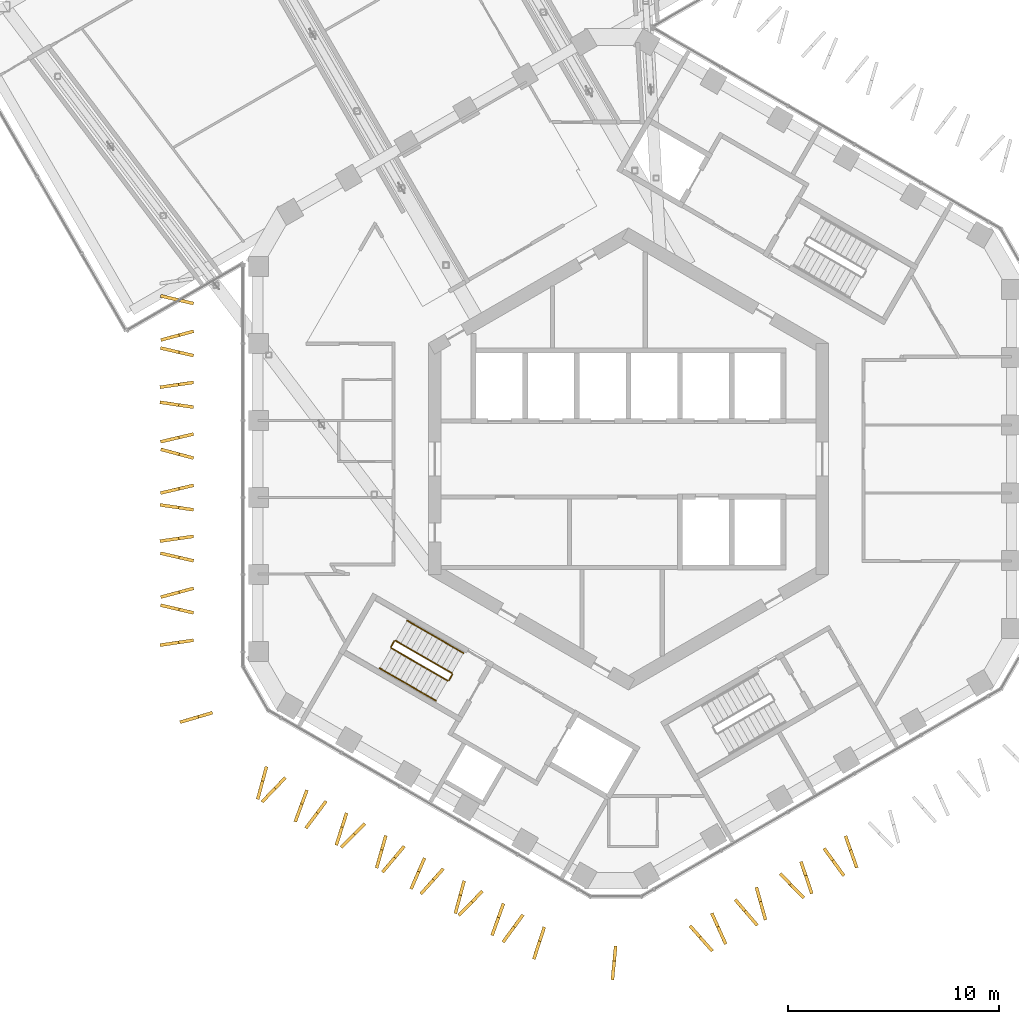
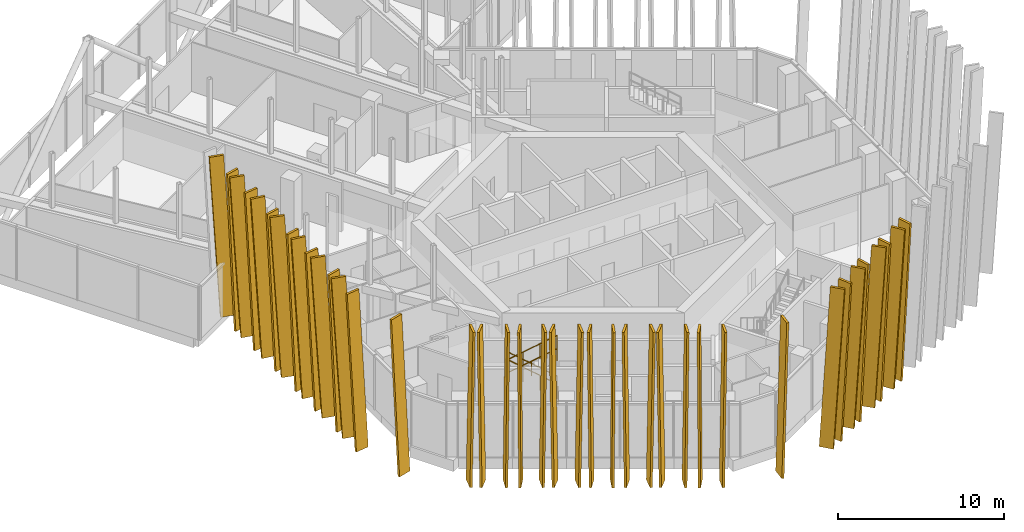
# One storey, part 26 of 29: 39 shading devices, 8 railings.
"""IFC4 building model written with IfcOpenShell, lengths in metres."""

import ifcopenshell
import ifcopenshell.guid

model = None  # the IFC model being written
_history = None  # IfcOwnerHistory: only IFC2X3 demands one
_inside = {}  # id of a spatial element -> (the spatial element, [elements in it])
_under = {}  # id of a project, library or spatial element -> (it, [spatial elements below it])
_declared = {}  # id of a project -> (the project, [libraries it declares])
_typed = {}  # id of a type object -> (the type object, [elements of that type])
_made_of = {}  # id of a material, layer set ... -> (it, [elements and type objects made of it])


def new_model(schema):
    """Start an empty IFC model of exactly this schema.

    Asked for "IFC4X3", IfcOpenShell would pick the latest addendum, in which some entities
    have other attributes; the version numbers below select the first issue.
    IFC2X3 requires an IfcOwnerHistory on every rooted entity: one is made here for all.
    """
    global model, _history
    if schema == "IFC4X3":
        model = ifcopenshell.file(schema_version=(4, 3, 0, 0))
    else:
        model = ifcopenshell.file(schema=schema)
    _inside.clear()
    _under.clear()
    _declared.clear()
    _typed.clear()
    _made_of.clear()
    _history = None
    if model.schema == "IFC2X3":
        org = make("IfcOrganization", Name="unknown")
        user = make(
            "IfcPersonAndOrganization",
            ThePerson=make("IfcPerson", FamilyName="unknown"),
            TheOrganization=org,
        )
        app = make(
            "IfcApplication",
            ApplicationDeveloper=org,
            Version="unknown",
            ApplicationFullName="unknown",
            ApplicationIdentifier="unknown",
        )
        _history = make(
            "IfcOwnerHistory",
            OwningUser=user,
            OwningApplication=app,
            ChangeAction="ADDED",
            CreationDate=0,
        )
    return model


def make(cls, **values):
    """One entity of the class cls with the attributes given. An attribute that is None is left unset."""
    return model.create_entity(
        cls, **{name: value for name, value in values.items() if value is not None}
    )


def rooted(cls, **values):
    """An entity with a GlobalId (a new one), such as an element, a storey or a relation."""
    return make(cls, GlobalId=ifcopenshell.guid.new(), OwnerHistory=_history, **values)


def si_unit(unit_type, name, prefix=None):
    """IfcSIUnit, for example si_unit("LENGTHUNIT", "METRE", prefix="MILLI")."""
    return make("IfcSIUnit", UnitType=unit_type, Prefix=prefix, Name=name)


def assignment(units):
    """IfcUnitAssignment: the units of a project."""
    return None if units is None else make("IfcUnitAssignment", Units=units)


def point(xyz):
    """IfcCartesianPoint."""
    return None if xyz is None else make("IfcCartesianPoint", Coordinates=xyz)


def direction(xyz):
    """IfcDirection."""
    return None if xyz is None else make("IfcDirection", DirectionRatios=xyz)


def frame(location, z_axis=None, x_axis=None):
    """IfcAxis2Placement3D, a coordinate frame: its origin and axes. An axis left out is left unset."""
    return make(
        "IfcAxis2Placement3D",
        Location=point(location),
        Axis=direction(z_axis),
        RefDirection=direction(x_axis),
    )


def frame_2d(location, x_axis=None):
    """IfcAxis2Placement2D, a coordinate frame in the plane: its origin and x axis."""
    return make(
        "IfcAxis2Placement2D", Location=point(location), RefDirection=direction(x_axis)
    )


def origin():
    """The frame at (0, 0, 0) with its axes left unset."""
    return frame((0.0, 0.0, 0.0))


def origin_2d():
    """The frame at (0, 0) in the plane with its x axis left unset."""
    return frame_2d((0.0, 0.0))


def place(relative_to, where):
    """IfcLocalPlacement: puts the frame where relative to a parent placement (None: the world)."""
    return make(
        "IfcLocalPlacement", PlacementRelTo=relative_to, RelativePlacement=where
    )


def context(
    kind, dimensions, precision=None, world=None, true_north=None, identifier=None
):
    """IfcGeometricRepresentationContext, for example the 3D "Model" context."""
    return make(
        "IfcGeometricRepresentationContext",
        ContextIdentifier=identifier,
        ContextType=kind,
        CoordinateSpaceDimension=dimensions,
        Precision=precision,
        WorldCoordinateSystem=world,
        TrueNorth=true_north,
    )


def subcontext(parent, identifier, kind, view, scale=None):
    """IfcGeometricRepresentationSubContext, for example "Body" below "Model"."""
    return make(
        "IfcGeometricRepresentationSubContext",
        ContextIdentifier=identifier,
        ContextType=kind,
        ParentContext=parent,
        TargetScale=scale,
        TargetView=view,
    )


def project(units=None, contexts=None):
    """IfcProject with its units and contexts."""
    return rooted(
        "IfcProject",
        Name="project",
        RepresentationContexts=contexts,
        UnitsInContext=assignment(units),
    )


def spatial(cls, under=None, at=None, **own):
    """A site, building, storey or space (cls), placed at a placement, below another one or the project."""
    s = rooted(cls, ObjectPlacement=at, **own)
    if under is not None:
        _under.setdefault(under.id(), (under, []))[1].append(s)
    return s


def polyline(points):
    """IfcPolyline through the points."""
    return make("IfcPolyline", Points=[point(p) for p in points])


def profile(cls, at=None, kind="AREA", **sizes):
    """A parametric profile (cls). Its sizes go by their IFC names, for example OverallWidth=200.0."""
    return make(cls, ProfileType=kind, Position=at, **sizes)


def circle(**sizes):
    """IfcCircleProfileDef."""
    return profile("IfcCircleProfileDef", **sizes)


def outline(outer, holes=None, kind="AREA"):
    """IfcArbitraryClosedProfileDef: a profile drawn as a closed curve; with holes, ...WithVoids."""
    if holes is None:
        return make("IfcArbitraryClosedProfileDef", ProfileType=kind, OuterCurve=outer)
    return make(
        "IfcArbitraryProfileDefWithVoids",
        ProfileType=kind,
        OuterCurve=outer,
        InnerCurves=holes,
    )


def extrude(swept, where, along, depth):
    """IfcExtrudedAreaSolid: the profile swept, set in the frame where, extruded along a direction by depth."""
    return make(
        "IfcExtrudedAreaSolid",
        SweptArea=swept,
        Position=where,
        ExtrudedDirection=direction(along),
        Depth=depth,
    )


def shape(context_of_items, identifier, shape_type, items):
    """IfcShapeRepresentation: the items that make up one representation, for example the "Body"."""
    return make(
        "IfcShapeRepresentation",
        ContextOfItems=context_of_items,
        RepresentationIdentifier=identifier,
        RepresentationType=shape_type,
        Items=items,
    )


def material(Name=None, Category=None):
    """IfcMaterial."""
    return make("IfcMaterial", Name=Name, Category=Category)


def layer(
    of_material, thickness, ventilated=None, Name=None, Category=None, Priority=None
):
    """IfcMaterialLayer: one layer of a wall or slab, of a material (None: an air gap)."""
    return make(
        "IfcMaterialLayer",
        Material=of_material,
        LayerThickness=thickness,
        IsVentilated=ventilated,
        Name=Name,
        Category=Category,
        Priority=Priority,
    )


def layer_set(layers, Name=None):
    """IfcMaterialLayerSet."""
    return make("IfcMaterialLayerSet", MaterialLayers=layers, LayerSetName=Name)


def made_of(thing, what):
    """Note that an element or type object is made of a material, layer set ...; save() writes the relation."""
    if what is not None:
        _made_of.setdefault(what.id(), (what, []))[1].append(thing)
    return thing


def type_object(cls, material=None, **own):
    """A type object (cls), such as IfcWallType, which elements share."""
    return made_of(rooted(cls, **own), material)


def element(
    cls,
    number,
    at=None,
    inside=None,
    cuts=None,
    type_object=None,
    material=None,
    context=None,
    identifier="Body",
    shape_type=None,
    held_by="IfcProductDefinitionShape",
    body=None,
    shapes=None,
    **own,
):
    """One element of the class cls, such as IfcWall. Its Tag is "e" and its number.

    at: its placement. inside: the storey or other place that contains it. cuts: it is an
    opening in that element (IfcRelVoidsElement). A single representation is given by context,
    identifier, shape_type and body (its items); several are given by shapes. held_by: the class
    of the entity that holds the representations. save() writes the other relations.
    """
    e = rooted(cls, Tag="e%d" % number, ObjectPlacement=at, **own)
    if body is not None:
        shapes = [shape(context, identifier, shape_type, body)]
    if shapes is not None:
        e.Representation = make(held_by, Representations=shapes)
    if inside is not None:
        _inside.setdefault(inside.id(), (inside, []))[1].append(e)
    if cuts is not None:
        rooted(
            "IfcRelVoidsElement", RelatingBuildingElement=cuts, RelatedOpeningElement=e
        )
    if type_object is not None:
        _typed.setdefault(type_object.id(), (type_object, []))[1].append(e)
    return made_of(e, material)


def aggregate(whole, parts):
    """IfcRelAggregates: a whole, such as a stair, and the parts it consists of."""
    return rooted("IfcRelAggregates", RelatingObject=whole, RelatedObjects=parts)


def save(model, path):
    """Write the relations noted so far, then the file.

    IfcRelAggregates (storeys below a building ...), IfcRelContainedInSpatialStructure (elements
    in a storey), IfcRelDefinesByType, IfcRelAssociatesMaterial and IfcRelDeclares: one each for
    every whole, place, type object, material and project.
    """
    for whole, parts in _under.values():
        aggregate(whole, parts)
    for where, things in _inside.values():
        rooted(
            "IfcRelContainedInSpatialStructure",
            RelatedElements=things,
            RelatingStructure=where,
        )
    for kind, things in _typed.values():
        rooted("IfcRelDefinesByType", RelatedObjects=things, RelatingType=kind)
    for what, things in _made_of.values():
        rooted("IfcRelAssociatesMaterial", RelatedObjects=things, RelatingMaterial=what)
    for by, libraries in _declared.values():
        rooted("IfcRelDeclares", RelatingContext=by, RelatedDefinitions=libraries)
    model.write(path)


model = new_model("IFC4")

# Units and contexts
model_context = context("Model", 3, precision=1e-05, world=origin(), true_north=direction((0.0, 1.0)))
body_context = subcontext(model_context, "Body", "Model", "MODEL_VIEW")
ifc_project = project(units=[si_unit("LENGTHUNIT", "METRE"), si_unit("AREAUNIT", "SQUARE_METRE"), si_unit("VOLUMEUNIT", "CUBIC_METRE"), si_unit("PLANEANGLEUNIT", "RADIAN"), si_unit("MASSUNIT", "GRAM", prefix="KILO")], contexts=[model_context])

# Site, building, storey
site_placement = place(None, origin())
site = spatial("IfcSite", under=ifc_project, at=site_placement, CompositionType="ELEMENT")
building_placement = place(site_placement, origin())
building = spatial("IfcBuilding", under=site, at=building_placement, Name="Ayvan Gate Tower", CompositionType="ELEMENT")
storey_placement = place(building_placement, frame((0.0, 0.0, 186.699951171875)))
storey = spatial("IfcBuildingStorey", under=building, at=storey_placement, Name="L50", CompositionType="ELEMENT", Elevation=186.699951171875)

# Shading devices
ifc_material_1 = material(Name="Bronze anodised aluminium", Category="aluminium")
ifc_layer = layer(ifc_material_1, 0.14990234375)
ifc_layer_set = layer_set([ifc_layer], Name="Bronze anodised aluminium")
shading_device_type = type_object("IfcShadingDeviceType", Name="Bronze fin 900 x 150", PredefinedType="USERDEFINED", material=ifc_layer_set)
shading_device_1_placement = place(storey_placement, frame((-20.626220703125, 7.448974609375, 0.0), z_axis=(0.228275696642, 0.97359652436, 0.000118641592), x_axis=(-0.973596531212, 0.228275698251, -1.5667e-08)))
element("IfcShadingDevice", 1, at=shading_device_1_placement, inside=storey, type_object=shading_device_type, Name="Bronze fin FG18.1.2", ObjectType="FIN", PredefinedType="USERDEFINED", context=body_context, shape_type="SweptSolid", body=[
    extrude(outline(polyline([(0.0, 0.0), (0.9000112520622978, 0.0), (1.6070512019024195, 11.88012706191353), (0.7070956812117649, 11.880127033713954), (0.0, 0.0)])), origin(), (0.0, 0.0, -1.0), 0.14990234375),
])
shading_device_2_placement = place(storey_placement, frame((-20.66162109375, 6.1318359375, 0.0), z_axis=(-0.258810665347, 0.965928064958, 0.000113266546), x_axis=(-0.965928071154, -0.258810667008, 3.977e-09)))
element("IfcShadingDevice", 2, at=shading_device_2_placement, inside=storey, type_object=shading_device_type, Name="Bronze fin FG18.1.3", ObjectType="FIN", PredefinedType="USERDEFINED", context=body_context, shape_type="SweptSolid", body=[
    extrude(outline(polyline([(0.0, 0.0), (0.8998069603596465, 0.0), (1.6071075126370027, 11.880127022940616), (0.7070647299943598, 11.880127030098436), (0.0, 0.0)])), origin(), (0.0, 0.0, -1.0), 0.14990234375),
])
shading_device_3_placement = place(storey_placement, frame((-20.62646484375, 4.977783203125, 0.0), z_axis=(0.225295354008, 0.974290504421, 0.000128287971), x_axis=(-0.974290512438, 0.225295355864, -1.3031e-08)))
element("IfcShadingDevice", 3, at=shading_device_3_placement, inside=storey, type_object=shading_device_type, Name="Bronze fin FG18.1.4", ObjectType="FIN", PredefinedType="USERDEFINED", context=body_context, shape_type="SweptSolid", body=[
    extrude(outline(polyline([(0.0, 0.0), (0.9001152249509758, 0.0), (1.6071372665524224, 11.880127071827962), (0.7073149092450748, 11.880127048373023), (0.0, 0.0)])), origin(), (0.0, 0.0, -1.0), 0.14990234375),
])
shading_device_4_placement = place(storey_placement, frame((-20.656494140625, 3.70458984375, 0.0), z_axis=(-0.14132641364, 0.989963045259, 0.000117599291), x_axis=(-0.989963052104, -0.141326414618, 2.254e-09)))
element("IfcShadingDevice", 4, at=shading_device_4_placement, inside=storey, type_object=shading_device_type, Name="Bronze fin FG18.1.5", ObjectType="FIN", PredefinedType="USERDEFINED", context=body_context, shape_type="SweptSolid", body=[
    extrude(outline(polyline([(0.0, 0.0), (0.8999038669784565, 1.6940658945086007e-21), (1.6071486526603405, 11.880127031650416), (0.7070030954836165, 11.880127035708549), (0.0, 0.0)])), origin(), (0.0, 0.0, -1.0), 0.14990234375),
])
shading_device_5_placement = place(storey_placement, frame((-20.634765625, 2.53125, 0.0), z_axis=(0.14525580639, 0.989394124754, 0.000128889754), x_axis=(-0.989394132972, 0.145255807598, -1.4754e-08)))
element("IfcShadingDevice", 5, at=shading_device_5_placement, inside=storey, type_object=shading_device_type, Name="Bronze fin FG18.1.6", ObjectType="FIN", PredefinedType="USERDEFINED", context=body_context, shape_type="SweptSolid", body=[
    extrude(outline(polyline([(0.0, 0.0), (0.9001872338754187, -3.3881317890172014e-21), (1.6071547073859989, 11.880127075516645), (0.7072444876562272, 11.880127048958041), (0.0, 0.0)])), origin(), (0.0, 0.0, -1.0), 0.14990234375),
])
shading_device_6_placement = place(storey_placement, frame((-20.660400390625, 1.2548828125, 0.0), z_axis=(-0.227731247521, 0.973724017838, 0.000126442382), x_axis=(-0.973724025623, -0.227731249339, -2.0603e-08)))
element("IfcShadingDevice", 6, at=shading_device_6_placement, inside=storey, type_object=shading_device_type, Name="Bronze fin FG18.1.7", ObjectType="FIN", PredefinedType="USERDEFINED", context=body_context, shape_type="SweptSolid", body=[
    extrude(outline(polyline([(0.0, 0.0), (0.9000819751416543, -3.3881317890172014e-21), (1.6070210165739012, 11.8801270812021), (0.7071211685748944, 11.88012704411726), (0.0, 0.0)])), origin(), (0.0, 0.0, -1.0), 0.14990234375),
])
shading_device_7_placement = place(storey_placement, frame((-20.622802734375, 0.112060546875, 0.0), z_axis=(0.258810665112, 0.965928064078, 0.000121041025), x_axis=(-0.965928071154, 0.258810667008, -4.25e-09)))
element("IfcShadingDevice", 7, at=shading_device_7_placement, inside=storey, type_object=shading_device_type, Name="Bronze fin FG18.1.8", ObjectType="FIN", PredefinedType="USERDEFINED", context=body_context, shape_type="SweptSolid", body=[
    extrude(outline(polyline([(0.0, 0.0), (0.8998069603596462, -3.3881317890172014e-21), (1.607119833572955, 11.8801270469825), (0.7070770509303123, 11.880127039333376), (0.0, 0.0)])), origin(), (0.0, 0.0, -1.0), 0.14990234375),
])
shading_device_8_placement = place(storey_placement, frame((-20.660400390625, -1.1796875, 0.0), z_axis=(-0.22770117468, 0.973731050747, 0.00012594075), x_axis=(-0.973731058468, -0.227701176488, 1.6631e-08)))
element("IfcShadingDevice", 8, at=shading_device_8_placement, inside=storey, type_object=shading_device_type, Name="Bronze fin FG18.1.9", ObjectType="FIN", PredefinedType="USERDEFINED", context=body_context, shape_type="SweptSolid", body=[
    extrude(outline(polyline([(0.0, 0.0), (0.9001375703494768, 3.3881317890172014e-21), (1.6072591390618398, 11.880127020611184), (0.7071771598199041, 11.880127050549815), (0.0, 0.0)])), origin(), (0.0, 0.0, -1.0), 0.14990234375),
])
shading_device_9_placement = place(storey_placement, frame((-20.634765625, -2.33837890625, 0.0), z_axis=(0.145388567228, 0.989374624934, 0.000126710479), x_axis=(-0.989374632877, 0.145388568395, 2.498e-09)))
element("IfcShadingDevice", 9, at=shading_device_9_placement, inside=storey, type_object=shading_device_type, Name="Bronze fin FG18.1.10", ObjectType="FIN", PredefinedType="USERDEFINED", context=body_context, shape_type="SweptSolid", body=[
    extrude(outline(polyline([(0.0, 0.0), (0.9001872395981918, -3.3881317890172014e-21), (1.60719018766256, 11.880127044480945), (0.707244494605598, 11.880127048977963), (0.0, 0.0)])), origin(), (0.0, 0.0, -1.0), 0.14990234375),
])
shading_device_10_placement = place(storey_placement, frame((-20.656494140625, -3.599853515625, 0.0), z_axis=(-0.14132641364, 0.989963045259, 0.000117599291), x_axis=(-0.989963052104, -0.141326414618, 2.254e-09)))
element("IfcShadingDevice", 10, at=shading_device_10_placement, inside=storey, type_object=shading_device_type, Name="Bronze fin FG18.1.11", ObjectType="FIN", PredefinedType="USERDEFINED", context=body_context, shape_type="SweptSolid", body=[
    extrude(outline(polyline([(0.0, 0.0), (0.8999038669784565, 1.6940658945086007e-21), (1.6071486526603405, 11.880127031650416), (0.7070030954836165, 11.880127035708549), (0.0, 0.0)])), origin(), (0.0, 0.0, -1.0), 0.14990234375),
])
shading_device_11_placement = place(storey_placement, frame((-20.62646484375, -4.76171875, 0.0), z_axis=(0.225295354008, 0.974290504421, 0.000128287971), x_axis=(-0.974290512438, 0.225295355864, -1.3031e-08)))
element("IfcShadingDevice", 11, at=shading_device_11_placement, inside=storey, type_object=shading_device_type, Name="Bronze fin FG18.1.12", ObjectType="FIN", PredefinedType="USERDEFINED", context=body_context, shape_type="SweptSolid", body=[
    extrude(outline(polyline([(0.0, 0.0), (0.9001152249509758, 0.0), (1.6071372665524224, 11.880127071827962), (0.7073149092450748, 11.880127048373023), (0.0, 0.0)])), origin(), (0.0, 0.0, -1.0), 0.14990234375),
])
shading_device_12_placement = place(storey_placement, frame((-20.66162109375, -6.06640625, 0.0), z_axis=(-0.258810664715, 0.965928062596, 0.000133116694), x_axis=(-0.965928071154, -0.258810667008, 4.674e-09)))
element("IfcShadingDevice", 12, at=shading_device_12_placement, inside=storey, type_object=shading_device_type, Name="Bronze fin FG18.1.13", ObjectType="FIN", PredefinedType="USERDEFINED", context=body_context, shape_type="SweptSolid", body=[
    extrude(outline(polyline([(0.0, 0.0), (0.8998069603596464, -3.3881317890172014e-21), (1.6071707071149526, 11.880127050871563), (0.7071279244723098, 11.880127059283804), (0.0, 0.0)])), origin(), (0.0, 0.0, -1.0), 0.14990234375),
])
shading_device_13_placement = place(storey_placement, frame((-20.626220703125, -7.232177734375, 0.0), z_axis=(0.22840425836, 0.973566369658, 0.000136504402), x_axis=(-0.973566378729, 0.228404260488, 0.0)))
element("IfcShadingDevice", 13, at=shading_device_13_placement, inside=storey, type_object=shading_device_type, Name="Bronze fin FG18.1.14", ObjectType="FIN", PredefinedType="USERDEFINED", context=body_context, shape_type="SweptSolid", body=[
    extrude(outline(polyline([(0.0, 0.0), (0.9000112599092355, -3.3881317890172014e-21), (1.6070511878910052, 11.880127063808889), (0.7070399279817696, 11.880127063808889), (0.0, 0.0)])), origin(), (0.0, 0.0, -1.0), 0.14990234375),
])
shading_device_14_placement = place(storey_placement, frame((-20.656494140625, -8.530029296875, 0.0), z_axis=(-0.144326261569, 0.989530148631, 0.00012317627), x_axis=(-0.989530156138, -0.144326262663, -2.411e-09)))
element("IfcShadingDevice", 14, at=shading_device_14_placement, inside=storey, type_object=shading_device_type, Name="Bronze fin FG18.1.15", ObjectType="FIN", PredefinedType="USERDEFINED", context=body_context, shape_type="SweptSolid", body=[
    extrude(outline(polyline([(0.0, 0.0), (0.9000457962223466, 3.3881317890172014e-21), (1.6071254142340965, 11.880127047124946), (0.7073212025225257, 11.8801270427853), (0.0, 0.0)])), origin(), (0.0, 0.0, -1.0), 0.14990234375),
])
shading_device_15_placement = place(storey_placement, frame((-19.763916015625, -11.9697265625, 0.0), z_axis=(-0.281556817196, 0.959544548007, 0.000138130304), x_axis=(-0.959544557161, -0.281556819883, 5.275e-09)))
element("IfcShadingDevice", 15, at=shading_device_15_placement, inside=storey, type_object=shading_device_type, Name="Bronze fin FG18.2.16", ObjectType="FIN", PredefinedType="USERDEFINED", context=body_context, shape_type="SweptSolid", body=[
    extrude(outline(polyline([(0.0, 0.0), (0.8999426459270372, -6.776263578034403e-21), (1.6072314014056455, 11.880127057982609), (0.7070544916707074, 11.880127067478847), (0.0, 0.0)])), origin(), (0.0, 0.0, -1.0), 0.14990234375),
])
shading_device_16_placement = place(storey_placement, frame((-17.252197265625, -14.58251953125, 0.0), z_axis=(-0.965200692172, 0.261510249369, 0.000115354123), x_axis=(-0.261510251108, -0.965200698593, 0.0)))
element("IfcShadingDevice", 16, at=shading_device_16_placement, inside=storey, type_object=shading_device_type, Name="Bronze fin FG18.3.17", ObjectType="FIN", PredefinedType="USERDEFINED", context=body_context, shape_type="SweptSolid", body=[
    extrude(outline(polyline([(0.0, 0.0), (0.8999706952304389, 0.0), (1.6070805738435505, 11.880127032166895), (0.7071098786131117, 11.880127032166895), (0.0, 0.0)])), origin(), (0.0, 0.0, -1.0), 0.14990234375),
])
shading_device_17_placement = place(storey_placement, frame((-16.333740234375, -15.0703125, 0.0), z_axis=(-0.719607066786, 0.694381489247, 0.000129704445), x_axis=(-0.694381495088, -0.719607072839, 0.0)))
element("IfcShadingDevice", 17, at=shading_device_17_placement, inside=storey, type_object=shading_device_type, Name="Bronze fin FG18.3.18", ObjectType="FIN", PredefinedType="USERDEFINED", context=body_context, shape_type="SweptSolid", body=[
    extrude(outline(polyline([(0.0, 0.0), (0.900081589762235, -6.776263578034403e-21), (1.60732837584658, 11.880127053056132), (0.707246786084345, 11.880127053056132), (0.0, 0.0)])), origin(), (0.0, 0.0, -1.0), 0.14990234375),
])
shading_device_18_placement = place(storey_placement, frame((-15.330078125, -15.68798828125, 0.0), z_axis=(-0.93748343665, 0.348029875354, 0.000108943186), x_axis=(-0.348029877419, -0.937483442213, 0.0)))
element("IfcShadingDevice", 18, at=shading_device_18_placement, inside=storey, type_object=shading_device_type, Name="Bronze fin FG18.3.19", ObjectType="FIN", PredefinedType="USERDEFINED", context=body_context, shape_type="SweptSolid", body=[
    extrude(outline(polyline([(0.0, 0.0), (0.9000158957561127, 0.0), (1.6070999972073434, 11.880127023625343), (0.7070841014512306, 11.880127023625343), (0.0, 0.0)])), origin(), (0.0, 0.0, -1.0), 0.14990234375),
])
shading_device_19_placement = place(storey_placement, frame((-14.410888671875, -16.195068359375, 0.0), z_axis=(-0.800130165814, 0.599826393796, 0.000122717324), x_axis=(-0.599826398311, -0.80013017184, 1.3317e-08)))
element("IfcShadingDevice", 19, at=shading_device_19_placement, inside=storey, type_object=shading_device_type, Name="Bronze fin FG18.3.20", ObjectType="FIN", PredefinedType="USERDEFINED", context=body_context, shape_type="SweptSolid", body=[
    extrude(outline(polyline([(0.0, 0.0), (0.9000488705065005, 6.776263578034403e-21), (1.6072270748861461, 11.88012702117599), (0.7070317623878702, 11.880127045150068), (0.0, 0.0)])), origin(), (0.0, 0.0, -1.0), 0.14990234375),
])
shading_device_20_placement = place(storey_placement, frame((-13.4482421875, -16.776611328125, 0.0), z_axis=(-0.951782720217, 0.30677294288, 0.000122529489), x_axis=(-0.306772945183, -0.951782727362, 0.0)))
element("IfcShadingDevice", 20, at=shading_device_20_placement, inside=storey, type_object=shading_device_type, Name="Bronze fin FG18.3.21", ObjectType="FIN", PredefinedType="USERDEFINED", context=body_context, shape_type="SweptSolid", body=[
    extrude(outline(polyline([(0.0, 0.0), (0.9000893045199154, 6.776263578034403e-21), (1.6073278434327685, 11.880127042305999), (0.707238538912853, 11.880127042305999), (0.0, 0.0)])), origin(), (0.0, 0.0, -1.0), 0.14990234375),
])
shading_device_21_placement = place(storey_placement, frame((-12.56298828125, -17.245361328125, 0.0), z_axis=(-0.708800111343, 0.705409372196, 0.000140635437), x_axis=(-0.70540937917, -0.708800118354, 1.3521e-08)))
element("IfcShadingDevice", 21, at=shading_device_21_placement, inside=storey, type_object=shading_device_type, Name="Bronze fin FG18.3.22", ObjectType="FIN", PredefinedType="USERDEFINED", context=body_context, shape_type="SweptSolid", body=[
    extrude(outline(polyline([(0.0, 0.0), (0.8999411853275507, 0.0), (1.6072265919815116, 11.880127048877922), (0.7071131875672494, 11.880127073216777), (0.0, 0.0)])), origin(), (0.0, 0.0, -1.0), 0.14990234375),
])
shading_device_22_placement = place(storey_placement, frame((-11.586669921875, -17.852783203125, 0.0), z_axis=(-0.961360008776, 0.275294233011, 0.00013710391), x_axis=(-0.275294235598, -0.961360017812, 5.118e-09)))
element("IfcShadingDevice", 22, at=shading_device_22_placement, inside=storey, type_object=shading_device_type, Name="Bronze fin FG18.3.23", ObjectType="FIN", PredefinedType="USERDEFINED", context=body_context, shape_type="SweptSolid", body=[
    extrude(outline(polyline([(0.0, 0.0), (0.9002551055355739, 6.776263578034403e-21), (1.6073124783438628, 11.88012705655718), (0.7072920798438875, 11.880127065770802), (0.0, 0.0)])), origin(), (0.0, 0.0, -1.0), 0.14990234375),
])
shading_device_23_placement = place(storey_placement, frame((-10.7001953125, -18.33154296875, 0.0), z_axis=(-0.766617915368, 0.642103540579, 0.000122521963), x_axis=(-0.642103545399, -0.766617921123, 0.0)))
element("IfcShadingDevice", 23, at=shading_device_23_placement, inside=storey, type_object=shading_device_type, Name="Bronze fin FG18.3.24", ObjectType="FIN", PredefinedType="USERDEFINED", context=body_context, shape_type="SweptSolid", body=[
    extrude(outline(polyline([(0.0, 0.0), (0.8999807951785506, -6.776263578034403e-21), (1.6070267749860139, 11.880127042295046), (0.7070459798074633, 11.880127042295046), (0.0, 0.0)])), origin(), (0.0, 0.0, -1.0), 0.14990234375),
])
shading_device_24_placement = place(storey_placement, frame((-9.745361328125, -18.90869140625, 0.0), z_axis=(-0.916172891114, 0.400783255846, 0.000124184531), x_axis=(-0.400783258938, -0.916172898178, -8.679e-09)))
element("IfcShadingDevice", 24, at=shading_device_24_placement, inside=storey, type_object=shading_device_type, Name="Bronze fin FG18.3.25", ObjectType="FIN", PredefinedType="USERDEFINED", context=body_context, shape_type="SweptSolid", body=[
    extrude(outline(polyline([(0.0, 0.0), (0.9001927995005126, 0.0), (1.6072873940552803, 11.880127058681362), (0.7074161170540636, 11.880127043058318), (0.0, 0.0)])), origin(), (0.0, 0.0, -1.0), 0.14990234375),
])
shading_device_25_placement = place(storey_placement, frame((-8.844970703125, -19.398681640625, 0.0), z_axis=(-0.745790848708, 0.666180150728, 0.000129457933), x_axis=(-0.666180156312, -0.745790854956, -1.1698e-08)))
element("IfcShadingDevice", 25, at=shading_device_25_placement, inside=storey, type_object=shading_device_type, Name="Bronze fin FG18.3.26", ObjectType="FIN", PredefinedType="USERDEFINED", context=body_context, shape_type="SweptSolid", body=[
    extrude(outline(polyline([(0.0, 0.0), (0.8999798643009114, 0.0), (1.6072634171970248, 11.880127071477807), (0.7071014750506651, 11.880127050420425), (0.0, 0.0)])), origin(), (0.0, 0.0, -1.0), 0.14990234375),
])
shading_device_26_placement = place(storey_placement, frame((-7.870361328125, -19.9990234375, 0.0), z_axis=(-0.964873278725, 0.262715707182, 0.00011490424), x_axis=(-0.262715708918, -0.964873285094, -1.5037e-08)))
element("IfcShadingDevice", 26, at=shading_device_26_placement, inside=storey, type_object=shading_device_type, Name="Bronze fin FG18.3.27", ObjectType="FIN", PredefinedType="USERDEFINED", context=body_context, shape_type="SweptSolid", body=[
    extrude(outline(polyline([(0.0, 0.0), (0.9000551262256369, 6.776263578034403e-21), (1.6071194166707958, 11.880127055717047), (0.7071284300225312, 11.880127028650621), (0.0, 0.0)])), origin(), (0.0, 0.0, -1.0), 0.14990234375),
])
shading_device_27_placement = place(storey_placement, frame((-6.990234375, -20.464111328125, 0.0), z_axis=(-0.716469398295, 0.697618509337, 0.000129372253), x_axis=(-0.697618515174, -0.716469404292, 1.2239e-08)))
element("IfcShadingDevice", 27, at=shading_device_27_placement, inside=storey, type_object=shading_device_type, Name="Bronze fin FG18.3.28", ObjectType="FIN", PredefinedType="USERDEFINED", context=body_context, shape_type="SweptSolid", body=[
    extrude(outline(polyline([(0.0, 0.0), (0.9001921355387669, 1.3552527156068805e-20), (1.6072085939516756, 11.88012703287483), (0.7071913777010658, 11.880127054906986), (0.0, 0.0)])), origin(), (0.0, 0.0, -1.0), 0.14990234375),
])
shading_device_28_placement = place(storey_placement, frame((-6.003662109375, -21.0732421875, 0.0), z_axis=(-0.941249943461, 0.337710714585, 0.00013110878), x_axis=(-0.337710717487, -0.941249951551, 0.0)))
element("IfcShadingDevice", 28, at=shading_device_28_placement, inside=storey, type_object=shading_device_type, Name="Bronze fin FG18.3.29", ObjectType="FIN", PredefinedType="USERDEFINED", context=body_context, shape_type="SweptSolid", body=[
    extrude(outline(polyline([(0.0, 0.0), (0.9000456970587527, 6.776263578034403e-21), (1.6070732081007428, 11.880127055231796), (0.7070275110419901, 11.880127055231796), (0.0, 0.0)])), origin(), (0.0, 0.0, -1.0), 0.14990234375),
])
shading_device_29_placement = place(storey_placement, frame((-5.06591796875, -21.591552734375, 0.0), z_axis=(-0.806495534509, 0.591240167327, 0.000131745471), x_axis=(-0.591240172456, -0.806495541509, 1.4413e-08)))
element("IfcShadingDevice", 29, at=shading_device_29_placement, inside=storey, type_object=shading_device_type, Name="Bronze fin FG18.3.30", ObjectType="FIN", PredefinedType="USERDEFINED", context=body_context, shape_type="SweptSolid", body=[
    extrude(outline(polyline([(0.0, 0.0), (0.8999081007540138, 0.0), (1.6071928866498981, 11.880127033061692), (0.7071404401506556, 11.880127059004236), (0.0, 0.0)])), origin(), (0.0, 0.0, -1.0), 0.14990234375),
])
shading_device_30_placement = place(storey_placement, frame((-4.06640625, -22.193115234375, 0.0), z_axis=(-0.950365042795, 0.311137064103, 0.000113026134), x_axis=(-0.311137066091, -0.950365048865, -4.77e-09)))
element("IfcShadingDevice", 30, at=shading_device_30_placement, inside=storey, type_object=shading_device_type, Name="Bronze fin FG18.3.31", ObjectType="FIN", PredefinedType="USERDEFINED", context=body_context, shape_type="SweptSolid", body=[
    extrude(outline(polyline([(0.0, 0.0), (0.8999030715284855, 3.3881317890172014e-21), (1.6071868334214545, 11.88012703667551), (0.7070517391759611, 11.880127028088804), (0.0, 0.0)])), origin(), (0.0, 0.0, -1.0), 0.14990234375),
])
shading_device_31_placement = place(storey_placement, frame((-0.68310546875, -23.114990234375, 0.0), z_axis=(-0.995299529517, 0.09684435324, 0.00013337579), x_axis=(-0.096844354101, -0.99529953837, 0.0)))
element("IfcShadingDevice", 31, at=shading_device_31_placement, inside=storey, type_object=shading_device_type, Name="Bronze fin FG18.4.32", ObjectType="FIN", PredefinedType="USERDEFINED", context=body_context, shape_type="SweptSolid", body=[
    extrude(outline(polyline([(0.0, 0.0), (0.899982285325234, 0.0), (1.6070096100672406, 11.880127058793393), (0.7070273247420067, 11.880127058793393), (0.0, 0.0)])), origin(), (0.0, 0.0, -1.0), 0.14990234375),
])
shading_device_32_placement = place(storey_placement, frame((2.860107421875, -22.203857421875, 0.0), z_axis=(-0.749746807422, -0.661724796204, 0.000137293872), x_axis=(0.661724802442, -0.749746814487, 1.396e-08)))
element("IfcShadingDevice", 32, at=shading_device_32_placement, inside=storey, type_object=shading_device_type, Name="Bronze fin FG18.5.33", ObjectType="FIN", PredefinedType="USERDEFINED", context=body_context, shape_type="SweptSolid", body=[
    extrude(outline(polyline([(0.0, 0.0), (0.9001241975585887, 0.0), (1.6071250207452878, 11.880127042658021), (0.7071623770935451, 11.880127067786537), (0.0, 0.0)])), origin(), (0.0, 0.0, -1.0), 0.14990234375),
])
shading_device_33_placement = place(storey_placement, frame((3.88427734375, -21.58935546875, 0.0), z_axis=(-0.911764079617, -0.410714316138, 0.000116787465), x_axis=(0.410714318939, -0.911764085835, 0.0)))
element("IfcShadingDevice", 33, at=shading_device_33_placement, inside=storey, type_object=shading_device_type, Name="Bronze fin FG18.5.34", ObjectType="FIN", PredefinedType="USERDEFINED", context=body_context, shape_type="SweptSolid", body=[
    extrude(outline(polyline([(0.0, 0.0), (0.8999659598059011, 0.0), (1.6072289074745008, 11.880127034143383), (0.7072629476685995, 11.880127034143383), (0.0, 0.0)])), origin(), (0.0, 0.0, -1.0), 0.14990234375),
])
shading_device_34_placement = place(storey_placement, frame((5.0078125, -20.963134765625, 0.0), z_axis=(-0.759026763112, -0.651059410818, 0.000128320468), x_axis=(0.651059416178, -0.759026769361, 0.0)))
element("IfcShadingDevice", 34, at=shading_device_34_placement, inside=storey, type_object=shading_device_type, Name="Bronze fin FG18.5.35", ObjectType="FIN", PredefinedType="USERDEFINED", context=body_context, shape_type="SweptSolid", body=[
    extrude(outline(polyline([(0.0, 0.0), (0.8999754637446553, -6.776263578034403e-21), (1.6073038608977495, 11.880127050934933), (0.7073283971530944, 11.880127050934933), (0.0, 0.0)])), origin(), (0.0, 0.0, -1.0), 0.14990234375),
])
shading_device_35_placement = place(storey_placement, frame((5.998291015625, -20.351318359375, 0.0), z_axis=(-0.963069596016, -0.269252556069, 0.000119501066), x_axis=(0.269252557993, -0.963069602892, 1.561e-08)))
element("IfcShadingDevice", 35, at=shading_device_35_placement, inside=storey, type_object=shading_device_type, Name="Bronze fin FG18.5.36", ObjectType="FIN", PredefinedType="USERDEFINED", context=body_context, shape_type="SweptSolid", body=[
    extrude(outline(polyline([(0.0, 0.0), (0.8999670118049422, -3.3881317890172014e-21), (1.6070964235487535, 11.880127012864754), (0.7071951472316026, 11.880127040961346), (0.0, 0.0)])), origin(), (0.0, 0.0, -1.0), 0.14990234375),
])
shading_device_36_placement = place(storey_placement, frame((7.138671875, -19.736083984375, 0.0), z_axis=(-0.711299131193, -0.702889416064, 0.000121444035), x_axis=(0.702889421248, -0.711299136438, 0.0)))
element("IfcShadingDevice", 36, at=shading_device_36_placement, inside=storey, type_object=shading_device_type, Name="Bronze fin FG18.5.37", ObjectType="FIN", PredefinedType="USERDEFINED", context=body_context, shape_type="SweptSolid", body=[
    extrude(outline(polyline([(0.0, 0.0), (0.8999543032701136, 6.776263578034403e-21), (1.607065007338167, 11.880127040732939), (0.7071107040680531, 11.880127040732939), (0.0, 0.0)])), origin(), (0.0, 0.0, -1.0), 0.14990234375),
])
shading_device_37_placement = place(storey_placement, frame((8.1162109375, -19.135009765625, 0.0), z_axis=(-0.947715986017, -0.319115013609, 0.00013393154), x_axis=(0.319115016473, -0.947715994516, 1.7213e-08)))
element("IfcShadingDevice", 37, at=shading_device_37_placement, inside=storey, type_object=shading_device_type, Name="Bronze fin FG18.5.38", ObjectType="FIN", PredefinedType="USERDEFINED", context=body_context, shape_type="SweptSolid", body=[
    extrude(outline(polyline([(0.0, 0.0), (0.9001264793036129, 6.776263578034403e-21), (1.6072462976386472, 11.880127032009593), (0.707197727274603, 11.880127062996792), (0.0, 0.0)])), origin(), (0.0, 0.0, -1.0), 0.14990234375),
])
shading_device_38_placement = place(storey_placement, frame((9.221923828125, -18.525146484375, 0.0), z_axis=(-0.81090093208, -0.585183442789, 0.000128982372), x_axis=(0.585183447657, -0.810900938826, 0.0)))
element("IfcShadingDevice", 38, at=shading_device_38_placement, inside=storey, type_object=shading_device_type, Name="Bronze fin FG18.5.39", ObjectType="FIN", PredefinedType="USERDEFINED", context=body_context, shape_type="SweptSolid", body=[
    extrude(outline(polyline([(0.0, 0.0), (0.8999081061391403, 0.0), (1.6070308020773658, 11.880127051946584), (0.7071226959382256, 11.880127051946584), (0.0, 0.0)])), origin(), (0.0, 0.0, -1.0), 0.14990234375),
])
shading_device_39_placement = place(storey_placement, frame((10.2275390625, -17.91796875, 0.0), z_axis=(-0.942488400792, -0.334238834132, 0.000127004436), x_axis=(0.334238836828, -0.942488408393, 0.0)))
element("IfcShadingDevice", 39, at=shading_device_39_placement, inside=storey, type_object=shading_device_type, Name="Bronze fin FG18.5.40", ObjectType="FIN", PredefinedType="USERDEFINED", context=body_context, shape_type="SweptSolid", body=[
    extrude(outline(polyline([(0.0, 0.0), (0.8998991644850243, 0.0), (1.6070908161372661, 11.880127048938977), (0.7071916516522418, 11.880127048938977), (0.0, 0.0)])), origin(), (0.0, 0.0, -1.0), 0.14990234375),
])

# Railings
ifc_material_2 = material(Name="Stainless steel balustrade", Category="steel")
railing_type_1 = type_object("IfcRailingType", Name="RL-GUARD-1100", PredefinedType="GUARDRAIL", material=ifc_material_2)
railing_1_placement = place(storey_placement, frame((-8.381103515625, -10.16650390625, 0.166748046875)))
element("IfcRailing", 40, at=railing_1_placement, inside=storey, type_object=railing_type_1, Name="L50 STS2 stair guard 1", PredefinedType="GUARDRAIL", context=body_context, shape_type="SweptSolid", body=[
    extrude(circle(Radius=0.02392578125, at=origin_2d()), frame((0.0, 0.0, 1.076171875), z_axis=(-0.744189839504, 0.429649414936, 0.511451721109), x_axis=(-0.499992328818, -0.866029832698, 0.0)), (0.0, 0.0, 1.0), 3.58447265625),
    extrude(circle(Radius=0.02099609375, at=origin_2d()), origin(), (0.0, 0.0, 1.0), 1.052001953125),
    extrude(circle(Radius=0.02099609375, at=origin_2d()), frame((-0.88916015625, 0.513427734375, 0.611083984375)), (0.0, 0.0, 1.0), 1.052001953125),
    extrude(circle(Radius=0.02099609375, at=origin_2d()), frame((-1.7783203125, 1.026611328125, 1.22216796875)), (0.0, 0.0, 1.0), 1.052001953125),
    extrude(circle(Radius=0.02099609375, at=origin_2d()), frame((-2.66748046875, 1.5400390625, 1.833251953125)), (0.0, 0.0, 1.0), 1.052001953125),
])
railing_2_placement = place(storey_placement, frame((-11.11669921875, -8.644775390625, 2.0)))
element("IfcRailing", 41, at=railing_2_placement, inside=storey, type_object=railing_type_1, Name="L50 STS2 stair guard 2", PredefinedType="GUARDRAIL", context=body_context, shape_type="SweptSolid", body=[
    extrude(circle(Radius=0.02392578125, at=origin_2d()), frame((0.0, 0.0, 1.076171875), z_axis=(-0.499949632511, -0.866054481515, 0.0), x_axis=(0.866054481515, -0.499949632511, 0.0)), (0.0, 0.0, 1.0), 0.31005859375),
    extrude(circle(Radius=0.02099609375, at=origin_2d()), origin(), (0.0, 0.0, 1.0), 1.052001953125),
    extrude(circle(Radius=0.02099609375, at=origin_2d()), frame((-0.155029296875, -0.2685546875, 0.0)), (0.0, 0.0, 1.0), 1.052001953125),
])
railing_3_placement = place(storey_placement, frame((-11.25341796875, -8.981689453125, 2.166748046875)))
element("IfcRailing", 42, at=railing_3_placement, inside=storey, type_object=railing_type_1, Name="L50 STS2 stair guard 3", PredefinedType="GUARDRAIL", context=body_context, shape_type="SweptSolid", body=[
    extrude(circle(Radius=0.02392578125, at=origin_2d()), frame((0.0, 0.0, 1.076171875), z_axis=(0.74418122563, -0.429615651263, 0.511492615401), x_axis=(0.499967199496, 0.866044340336, 0.0)), (0.0, 0.0, 1.0), 3.584228515625),
    extrude(circle(Radius=0.02099609375, at=origin_2d()), origin(), (0.0, 0.0, 1.0), 1.052001953125),
    extrude(circle(Radius=0.02099609375, at=origin_2d()), frame((0.88916015625, -0.51318359375, 0.611083984375)), (0.0, 0.0, 1.0), 1.052001953125),
    extrude(circle(Radius=0.02099609375, at=origin_2d()), frame((1.778076171875, -1.026611328125, 1.22216796875)), (0.0, 0.0, 1.0), 1.052001953125),
    extrude(circle(Radius=0.02099609375, at=origin_2d()), frame((2.667236328125, -1.539794921875, 1.833251953125)), (0.0, 0.0, 1.0), 1.052001953125),
])
railing_4_placement = place(storey_placement, frame((-8.36279296875, -10.23486328125, 0.0)))
element("IfcRailing", 43, at=railing_4_placement, inside=storey, type_object=railing_type_1, Name="L50 STS2 stair guard 4", PredefinedType="GUARDRAIL", context=body_context, shape_type="SweptSolid", body=[
    extrude(circle(Radius=0.02392578125, at=origin_2d()), frame((0.0, 0.0, 1.076171875), z_axis=(-0.500290723946, -0.86585748916, 0.0), x_axis=(0.86585748916, -0.500290723946, 0.0)), (0.0, 0.0, 1.0), 0.309814453125),
    extrude(circle(Radius=0.02099609375, at=origin_2d()), origin(), (0.0, 0.0, 1.0), 1.052001953125),
    extrude(circle(Radius=0.02099609375, at=origin_2d()), frame((-0.155029296875, -0.268310546875, 0.0)), (0.0, 0.0, 1.0), 1.052001953125),
])
railing_type_2 = type_object("IfcRailingType", Name="RL-HANDRAIL-900", PredefinedType="HANDRAIL", material=ifc_material_2)
railing_5_placement = place(storey_placement, frame((-7.8310546875, -9.2138671875, 0.166748046875)))
element("IfcRailing", 44, at=railing_5_placement, inside=storey, type_object=railing_type_2, Name="L50 STS2 stair handrail 1", PredefinedType="HANDRAIL", context=body_context, shape_type="SweptSolid", body=[
    extrude(circle(Radius=0.02392578125, at=origin_2d()), frame((0.0, 0.0, 0.8759765625), z_axis=(-0.7441639146, 0.429634447492, 0.511502013422), x_axis=(-0.499992328818, -0.866029832698, 0.0)), (0.0, 0.0, 1.0), 1.792236328125),
    extrude(circle(Radius=0.02099609375, at=origin_2d()), origin(), (0.0, 0.0, 1.0), 0.851806640625),
    extrude(circle(Radius=0.02099609375, at=origin_2d()), frame((-0.6669921875, 0.385009765625, 0.45849609375)), (0.0, 0.0, 1.0), 0.851806640625),
    extrude(circle(Radius=0.02099609375, at=origin_2d()), frame((-1.333740234375, 0.77001953125, 0.916748046875)), (0.0, 0.0, 1.0), 0.851806640625),
])
railing_6_placement = place(storey_placement, frame((-9.164794921875, -8.44384765625, 1.08349609375)))
element("IfcRailing", 45, at=railing_6_placement, inside=storey, type_object=railing_type_2, Name="L50 STS2 stair handrail 2", PredefinedType="HANDRAIL", context=body_context, shape_type="SweptSolid", body=[
    extrude(circle(Radius=0.02392578125, at=origin_2d()), frame((0.0, 0.0, 0.8759765625), z_axis=(-0.744215763664, 0.42966438195, 0.511401423539), x_axis=(-0.499992328818, -0.866029832698, 0.0)), (0.0, 0.0, 1.0), 1.792236328125),
    extrude(circle(Radius=0.02099609375, at=origin_2d()), origin(), (0.0, 0.0, 1.0), 0.851806640625),
    extrude(circle(Radius=0.02099609375, at=origin_2d()), frame((-0.6669921875, 0.385009765625, 0.458251953125)), (0.0, 0.0, 1.0), 0.851806640625),
    extrude(circle(Radius=0.02099609375, at=origin_2d()), frame((-1.333740234375, 0.77001953125, 0.91650390625)), (0.0, 0.0, 1.0), 0.851806640625),
])
railing_7_placement = place(storey_placement, frame((-11.803466796875, -9.93408203125, 2.166748046875)))
element("IfcRailing", 46, at=railing_7_placement, inside=storey, type_object=railing_type_2, Name="L50 STS2 stair handrail 3", PredefinedType="HANDRAIL", context=body_context, shape_type="SweptSolid", body=[
    extrude(circle(Radius=0.02392578125, at=origin_2d()), frame((0.0, 0.0, 0.8759765625), z_axis=(0.7441639146, -0.429634447492, 0.511502013422), x_axis=(0.499992328818, 0.866029832698, 0.0)), (0.0, 0.0, 1.0), 1.792236328125),
    extrude(circle(Radius=0.02099609375, at=origin_2d()), origin(), (0.0, 0.0, 1.0), 0.851806640625),
    extrude(circle(Radius=0.02099609375, at=origin_2d()), frame((0.6669921875, -0.385009765625, 0.45849609375)), (0.0, 0.0, 1.0), 0.851806640625),
    extrude(circle(Radius=0.02099609375, at=origin_2d()), frame((1.333740234375, -0.77001953125, 0.916748046875)), (0.0, 0.0, 1.0), 0.851806640625),
])
railing_8_placement = place(storey_placement, frame((-10.4697265625, -10.7041015625, 3.08349609375)))
element("IfcRailing", 47, at=railing_8_placement, inside=storey, type_object=railing_type_2, Name="L50 STS2 stair handrail 4", PredefinedType="HANDRAIL", context=body_context, shape_type="SweptSolid", body=[
    extrude(circle(Radius=0.02392578125, at=origin_2d()), frame((0.0, 0.0, 0.8759765625), z_axis=(0.744215763664, -0.42966438195, 0.511401423539), x_axis=(0.499992328818, 0.866029832698, 0.0)), (0.0, 0.0, 1.0), 1.792236328125),
    extrude(circle(Radius=0.02099609375, at=origin_2d()), origin(), (0.0, 0.0, 1.0), 0.851806640625),
    extrude(circle(Radius=0.02099609375, at=origin_2d()), frame((0.6669921875, -0.385009765625, 0.458251953125)), (0.0, 0.0, 1.0), 0.851806640625),
    extrude(circle(Radius=0.02099609375, at=origin_2d()), frame((1.333740234375, -0.77001953125, 0.91650390625)), (0.0, 0.0, 1.0), 0.851806640625),
])

save(model, "model.ifc")
